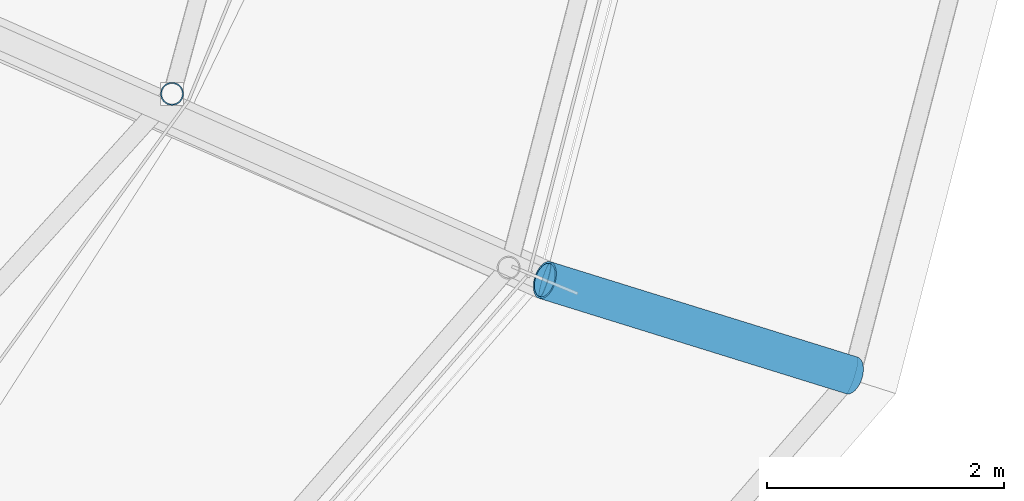
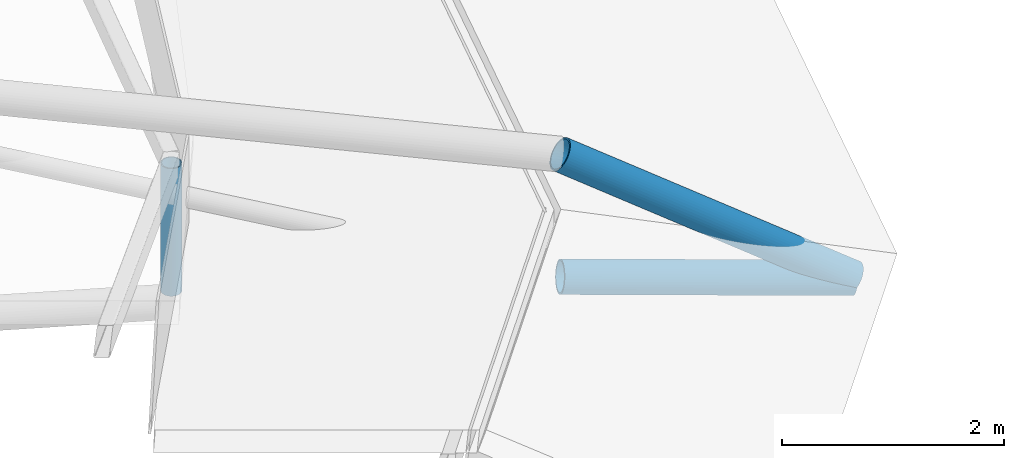
# One storey, part 32 of 134: 3 members.
"""IFC4 building model written with IfcOpenShell, lengths in metres."""

from ifc_helpers import new_model, si_unit, derived_unit, direction, frame, origin, origin_2d, place, context, subcontext, project, spatial, hollow_circle, extrude, material, material_profile, profile_set, type_object, element, save


model = new_model("IFC4")

# Units and contexts
model_context = context("Model", 3, precision=1e-05, world=origin(), true_north=direction((0.0, 1.0)))
body_context = subcontext(model_context, "Body", "Model", "MODEL_VIEW")
ifc_project = project(units=[si_unit("LENGTHUNIT", "METRE"), si_unit("AREAUNIT", "SQUARE_METRE"), si_unit("VOLUMEUNIT", "CUBIC_METRE"), si_unit("PLANEANGLEUNIT", "RADIAN"), si_unit("MASSUNIT", "GRAM", prefix="KILO"), derived_unit("THERMALTRANSMITTANCEUNIT", [(si_unit("MASSUNIT", "GRAM", prefix="KILO"), 1), (si_unit("TIMEUNIT", "SECOND"), -3), (si_unit("THERMODYNAMICTEMPERATUREUNIT", "KELVIN"), -1)])], contexts=[model_context])

# Site, building, storey
site_placement = place(None, origin())
site = spatial("IfcSite", under=ifc_project, at=site_placement, CompositionType="ELEMENT")
building_placement = place(site_placement, origin())
building = spatial("IfcBuilding", under=site, at=building_placement, Name="Kharveza Railside Sports Centre", CompositionType="ELEMENT")
storey_placement = place(building_placement, frame((0.0, 0.0, 12.89990234375)))
storey = spatial("IfcBuildingStorey", under=building, at=storey_placement, Name="L03", CompositionType="ELEMENT", Elevation=12.89990234375)

# Members
ifc_material = material(Name="Steel S355J2", Category="steel")
ifc_material_profile_1 = material_profile(ifc_material, hollow_circle(Radius=0.161865234375, WallThickness=0.01611328125, at=origin_2d()), Name="CHS 323.9x16.0")
ifc_profile_set_1 = profile_set([ifc_material_profile_1], Name="Steel S355J2")
member_type_1 = type_object("IfcMemberType", Name="MB-CH02", PredefinedType="CHORD", material=ifc_profile_set_1)
member_1_placement = place(storey_placement, frame((99.685302734375, 36.04931640625, -0.0498046875), z_axis=(0.943179027978, -0.292940938191, -0.15684045369), x_axis=(0.296611820086, 0.954998129938, 0.0)))
element("IfcMember", 1, at=member_1_placement, inside=storey, type_object=member_type_1, Name="MB-OUT-BC3-16", PredefinedType="CHORD", context=body_context, shape_type="SweptSolid", body=[
    extrude(hollow_circle(Radius=0.161865234375, WallThickness=0.01611328125, at=origin_2d()), origin(), (0.0, 0.0, 1.0), 2.74267578125),
])
member_2_placement = place(storey_placement, frame((99.685302734375, 36.04931640625, 1.300048828125), z_axis=(0.798103888629, -0.24788221003, -0.5491671812), x_axis=(0.296611820086, 0.954998129938, 0.0)))
element("IfcMember", 2, at=member_2_placement, inside=storey, type_object=member_type_1, Name="MB-OUT-TC3-16", PredefinedType="CHORD", context=body_context, shape_type="SweptSolid", body=[
    extrude(hollow_circle(Radius=0.161865234375, WallThickness=0.01611328125, at=origin_2d()), origin(), (0.0, 0.0, 1.0), 3.2412109375),
])
ifc_material_profile_2 = material_profile(ifc_material, hollow_circle(Radius=0.096923828125, WallThickness=0.010009765625, at=origin_2d()), Name="CHS 193.7x10.0")
ifc_profile_set_2 = profile_set([ifc_material_profile_2], Name="Steel S355J2")
member_type_2 = type_object("IfcMemberType", Name="MB-ST02", PredefinedType="STRUT", material=ifc_profile_set_2)
member_3_placement = place(storey_placement, frame((96.544189453125, 37.618408203125, -0.0498046875), z_axis=(0.0, 0.0, 1.0), x_axis=(1.0, 0.0, 0.0)))
element("IfcMember", 3, at=member_3_placement, inside=storey, type_object=member_type_2, Name="MB-LIDPOST-S2-16", PredefinedType="STRUT", context=body_context, shape_type="SweptSolid", body=[
    extrude(hollow_circle(Radius=0.096923828125, WallThickness=0.010009765625, at=origin_2d()), origin(), (0.0, 0.0, 1.0), 1.40478515625),
])

save(model, "model.ifc")
